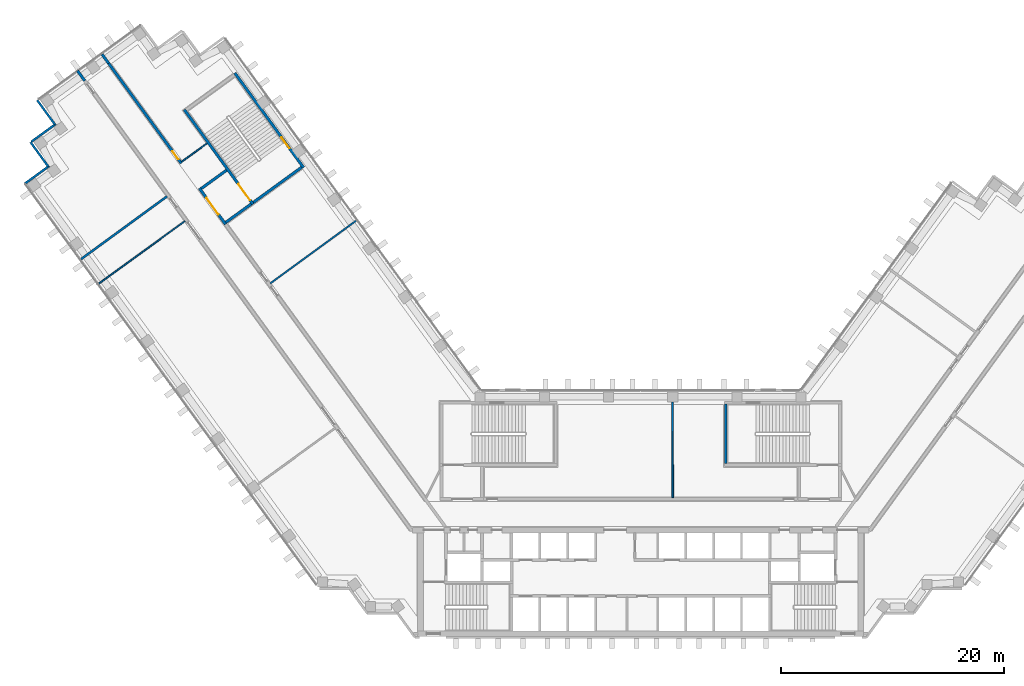
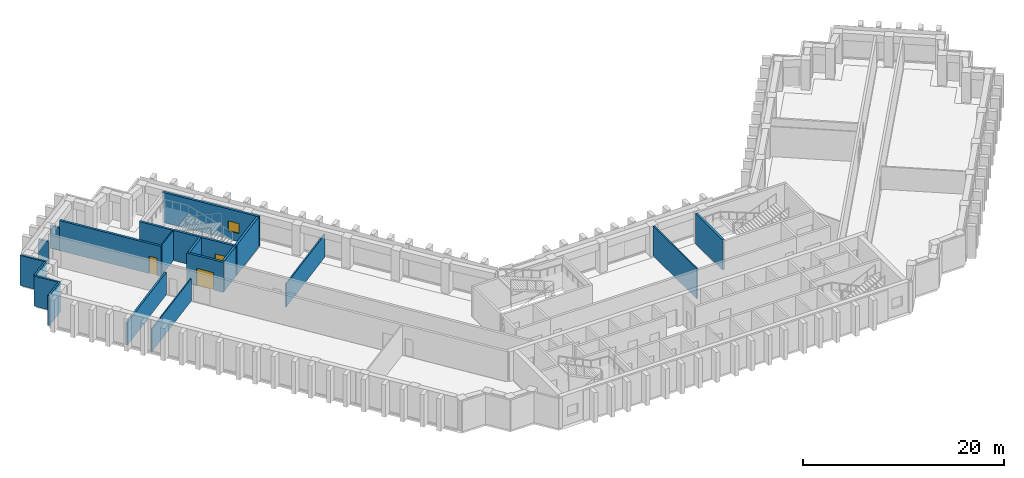
# One storey, part 6 of 11: 19 walls, 3 doors, 1 window, 4 openings.
"""IFC4 building model written with IfcOpenShell, lengths in metres."""

from ifc_helpers import new_model, si_unit, direction, frame, frame_2d, origin, place, context, subcontext, project, spatial, rectangle, extrude, material, layer, layer_set, type_object, element, fill, save


model = new_model("IFC4")

# Units and contexts
model_context = context("Model", 3, precision=1e-05, world=origin(), true_north=direction((0.0, 1.0)))
body_context = subcontext(model_context, "Body", "Model", "MODEL_VIEW")
ifc_project = project(units=[si_unit("LENGTHUNIT", "METRE"), si_unit("AREAUNIT", "SQUARE_METRE"), si_unit("VOLUMEUNIT", "CUBIC_METRE"), si_unit("PLANEANGLEUNIT", "RADIAN"), si_unit("MASSUNIT", "GRAM", prefix="KILO")], contexts=[model_context])

# Site, building, storey
site_placement = place(None, origin())
site = spatial("IfcSite", under=ifc_project, at=site_placement, CompositionType="ELEMENT")
building_placement = place(site_placement, origin())
building = spatial("IfcBuilding", under=site, at=building_placement, Name="Quipu Civic Tower", CompositionType="ELEMENT")
storey_placement = place(building_placement, frame((0.0, 0.0, 117.0)))
storey = spatial("IfcBuildingStorey", under=building, at=storey_placement, Name="L27", CompositionType="ELEMENT", Elevation=117.0)

# Walls
ifc_material_1 = material(Name="Double gypsum plasterboard with mineral wool")
ifc_layer_1 = layer(ifc_material_1, 0.14990234375)
ifc_layer_set_1 = layer_set([ifc_layer_1], Name="Double gypsum plasterboard with mineral wool")
wall_type_1 = type_object("IfcWallType", Name="Acoustic partition 150 plasterboard", PredefinedType="PARTITIONING", material=ifc_layer_set_1)
wall_1_placement = place(storey_placement, frame((-33.22998046875, 20.677001953125, 0.0), z_axis=(0.0, 0.0, 1.0), x_axis=(0.807610282865, 0.589716568371, 0.0)))
element("IfcWall", 1, at=wall_1_placement, inside=storey, type_object=wall_type_1, Name="Partition P03", PredefinedType="PARTITIONING", context=body_context, shape_type="SweptSolid", body=[
    extrude(rectangle(XDim=9.549560546875, YDim=0.14990234375, at=frame_2d((4.77490234375, 0.0))), origin(), (0.0, 0.0, 1.0), 2.75),
])
wall_2_placement = place(storey_placement, frame((2.87890625, 1.449951171875, 0.0), z_axis=(0.0, 0.0, 1.0), x_axis=(-0.002357613104, 0.999997220826, 0.0)))
element("IfcWall", 2, at=wall_2_placement, inside=storey, type_object=wall_type_1, Name="Partition P05", PredefinedType="PARTITIONING", context=body_context, shape_type="SweptSolid", body=[
    extrude(rectangle(XDim=8.594970703125, YDim=0.14990234375, at=frame_2d((4.29736328125, 0.0))), origin(), (0.0, 0.0, 1.0), 3.64990234375),
])
ifc_material_2 = material(Name="Fired clay blockwork", Category="masonry")
ifc_layer_2 = layer(ifc_material_2, 0.199951171875)
ifc_layer_set_2 = layer_set([ifc_layer_2], Name="Fired clay blockwork")
wall_type_2 = type_object("IfcWallType", Name="Blockwork wall 200", PredefinedType="SOLIDWALL", material=ifc_layer_set_2)
wall_3_placement = place(storey_placement, frame((-50.202392578125, 22.85546875, 0.0), z_axis=(0.0, 0.0, 1.0), x_axis=(0.807642555839, 0.589672368352, 0.0)))
element("IfcWall", 3, at=wall_3_placement, inside=storey, type_object=wall_type_2, Name="Partition P08", PredefinedType="SOLIDWALL", context=body_context, shape_type="SweptSolid", body=[
    extrude(rectangle(XDim=9.55078125, YDim=0.199951171875, at=frame_2d((4.775390625, 0.0))), origin(), (0.0, 0.0, 1.0), 2.75),
])
ifc_material_3 = material(Name="Concrete C70/85", Category="concrete")
ifc_layer_3 = layer(ifc_material_3, 0.25)
ifc_layer_set_3 = layer_set([ifc_layer_3], Name="Concrete C70/85")
wall_type_3 = type_object("IfcWallType", Name="Core wall 250", PredefinedType="SHEAR", material=ifc_layer_set_3)
wall_4_placement = place(storey_placement, frame((7.625, 4.5, 0.0), z_axis=(0.0, 0.0, 1.0), x_axis=(0.0, 1.0, 0.0)))
element("IfcWall", 4, at=wall_4_placement, inside=storey, type_object=wall_type_3, Name="Core wall", PredefinedType="SHEAR", context=body_context, shape_type="SweptSolid", body=[
    extrude(rectangle(XDim=5.35009765625, YDim=0.25, at=frame_2d((2.675048828125, 0.0))), origin(), (0.0, 0.0, 1.0), 3.64990234375),
])

# Wall, opening, window
wall_5_placement = place(storey_placement, frame((-30.239501953125, 31.06396484375, 0.0), z_axis=(0.0, 0.0, 1.0), x_axis=(-0.587795589702, 0.809009483706, 0.0)))
wall_5 = element("IfcWall", 5, at=wall_5_placement, inside=storey, type_object=wall_type_3, Name="Core wall", PredefinedType="SHEAR", context=body_context, shape_type="SweptSolid", body=[
    extrude(rectangle(XDim=10.5, YDim=0.25, at=frame_2d((5.25, 0.0))), origin(), (0.0, 0.0, 1.0), 3.64990234375),
])
opening_1_placement = place(wall_5_placement, frame((2.14990234375, 0.0, 1.0)))
opening_1 = element("IfcOpeningElement", 6, at=opening_1_placement, cuts=wall_5, Name="Opening SV-6", PredefinedType="OPENING", context=body_context, shape_type="SweptSolid", body=[
    extrude(rectangle(XDim=1.199951171875, YDim=1.199951171875, at=frame_2d((0.60009765625, 0.60009765625))), frame((0.0, 0.135009765625, 0.0), z_axis=(0.0, -1.0, 0.0), x_axis=(1.0, 0.0, 0.0)), (0.0, 0.0, 1.0), 0.27001953125),
])
ifc_material_4 = material(Name="Aluminium louvre", Category="aluminium")
window_type = type_object("IfcWindowType", Name="Stair ventilation louvre 1200 x 1200", PartitioningType="SINGLE_PANEL", PredefinedType="WINDOW", material=ifc_material_4)
window_placement = place(opening_1_placement, origin())
window = element("IfcWindow", 7, at=window_placement, inside=storey, type_object=window_type, Name="Stair ventilation opening", OverallHeight=1.199951171875, OverallWidth=1.199951171875, PartitioningType="SINGLE_PANEL", PredefinedType="WINDOW", context=body_context, shape_type="SweptSolid", body=[
    extrude(rectangle(XDim=1.199951171875, YDim=1.199951171875, at=frame_2d((0.60009765625, 0.60009765625))), frame((0.0, 0.030029296875, 0.0), z_axis=(0.0, -1.0, 0.0), x_axis=(1.0, 0.0, 0.0)), (0.0, 0.0, 1.0), 0.06005859375),
])
fill(opening_1, window)

# Wall
wall_6_placement = place(storey_placement, frame((-30.414306640625, 31.091796875, 0.0), z_axis=(0.0, 0.0, 1.0), x_axis=(-0.8089984606, -0.587810760999, 0.0)))
element("IfcWall", 8, at=wall_6_placement, inside=storey, type_object=wall_type_3, Name="Core wall", PredefinedType="SHEAR", context=body_context, shape_type="SweptSolid", body=[
    extrude(rectangle(XDim=5.35009765625, YDim=0.25, at=frame_2d((2.675048828125, 0.0))), origin(), (0.0, 0.0, 1.0), 3.64990234375),
])

# Wall, opening, door
wall_7_placement = place(storey_placement, frame((-40.94189453125, 36.26708984375, 0.0), z_axis=(0.0, 0.0, 1.0), x_axis=(0.587795589702, -0.809009483706, 0.0)))
wall_7 = element("IfcWall", 9, at=wall_7_placement, inside=storey, type_object=wall_type_3, Name="Core wall", PredefinedType="SHEAR", context=body_context, shape_type="SweptSolid", body=[
    extrude(rectangle(XDim=10.5, YDim=0.25, at=frame_2d((5.25, 0.0))), origin(), (0.0, 0.0, 1.0), 3.64990234375),
])
opening_2_placement = place(wall_7_placement, frame((8.25, 0.0, 0.0)))
opening_2 = element("IfcOpeningElement", 10, at=opening_2_placement, cuts=wall_7, Name="Opening CD-18", PredefinedType="OPENING", context=body_context, shape_type="SweptSolid", body=[
    extrude(rectangle(XDim=1.800048828125, YDim=2.10009765625, at=frame_2d((0.89990234375, 1.050048828125))), frame((0.0, 0.135009765625, 0.0), z_axis=(0.0, -1.0, 0.0), x_axis=(1.0, 0.0, 0.0)), (0.0, 0.0, 1.0), 0.27001953125),
])
ifc_material_5 = material(Name="Fire rated steel door", Category="steel")
door_type_1 = type_object("IfcDoorType", Name="Fire door FD90 double 1800 x 2100", OperationType="NOTDEFINED", PredefinedType="DOOR", material=ifc_material_5)
door_1_placement = place(opening_2_placement, origin())
door_1 = element("IfcDoor", 11, at=door_1_placement, inside=storey, type_object=door_type_1, Name="Door", OperationType="DOUBLE_DOOR_SINGLE_SWING", OverallHeight=2.10009765625, OverallWidth=1.800048828125, PredefinedType="DOOR", context=body_context, shape_type="SweptSolid", body=[
    extrude(rectangle(XDim=1.800048828125, YDim=2.10009765625, at=frame_2d((0.89990234375, 1.050048828125))), frame((0.0, 0.02490234375, 0.0), z_axis=(0.0, -1.0, 0.0), x_axis=(1.0, 0.0, 0.0)), (0.0, 0.0, 1.0), 0.050048828125),
])
fill(opening_2, door_1)

# Walls
for number, where, z_axis, x_axis, name in (
    (12, (-34.944580078125, 27.800048828125, 0.0), (0.0, 0.0, 1.0), (-0.809041377956, -0.587751689708, 0.0), "Core wall"),
    (13, (-37.14892578125, 30.833984375, 0.0), (0.0, 0.0, 1.0), (-0.808969789945, -0.58785021813, 0.0), "Core wall"),
):
    element("IfcWall", number, at=place(storey_placement, frame(where, z_axis=z_axis, x_axis=x_axis)), inside=storey, type_object=wall_type_3, Name=name, PredefinedType="SHEAR", context=body_context, shape_type="SweptSolid", body=[
        extrude(rectangle(XDim=2.800048828125, YDim=0.25, at=frame_2d((1.39990234375, 0.0))), origin(), (0.0, 0.0, 1.0), 3.64990234375),
    ])

# Wall, opening, door
wall_8_placement = place(storey_placement, frame((-39.588623046875, 29.2158203125, 0.0), z_axis=(0.0, 0.0, 1.0), x_axis=(0.587772420479, -0.809026317077, 0.0)))
wall_8 = element("IfcWall", 14, at=wall_8_placement, inside=storey, type_object=wall_type_3, Name="Core wall", PredefinedType="SHEAR", context=body_context, shape_type="SweptSolid", body=[
    extrude(rectangle(XDim=4.0, YDim=0.25, at=frame_2d((2.0, 0.0))), origin(), (0.0, 0.0, 1.0), 3.64990234375),
])
opening_3_placement = place(wall_8_placement, frame((1.10009765625, 0.0, 0.0)))
opening_3 = element("IfcOpeningElement", 15, at=opening_3_placement, cuts=wall_8, Name="Opening CD-19", PredefinedType="OPENING", context=body_context, shape_type="SweptSolid", body=[
    extrude(rectangle(XDim=1.800048828125, YDim=2.10009765625, at=frame_2d((0.89990234375, 1.050048828125))), frame((0.0, 0.135009765625, 0.0), z_axis=(0.0, -1.0, 0.0), x_axis=(1.0, 0.0, 0.0)), (0.0, 0.0, 1.0), 0.27001953125),
])
door_2_placement = place(opening_3_placement, origin())
door_2 = element("IfcDoor", 16, at=door_2_placement, inside=storey, type_object=door_type_1, Name="Lobby door", OperationType="DOUBLE_DOOR_SINGLE_SWING", OverallHeight=2.10009765625, OverallWidth=1.800048828125, PredefinedType="DOOR", context=body_context, shape_type="SweptSolid", body=[
    extrude(rectangle(XDim=1.800048828125, YDim=2.10009765625, at=frame_2d((0.89990234375, 1.050048828125))), frame((0.0, 0.02490234375, 0.0), z_axis=(0.0, -1.0, 0.0), x_axis=(1.0, 0.0, 0.0)), (0.0, 0.0, 1.0), 0.050048828125),
])
fill(opening_3, door_2)

ifc_material_6 = material(Name="Concrete C50/60", Category="concrete")
ifc_layer_4 = layer(ifc_material_6, 0.25)
ifc_layer_set_4 = layer_set([ifc_layer_4], Name="Concrete C50/60")
wall_type_4 = type_object("IfcWallType", Name="Corridor wall 250 concrete", PredefinedType="SOLIDWALL", material=ifc_layer_set_4)
wall_9_placement = place(storey_placement, frame((-47.724853515625, 40.414306640625, 0.0), z_axis=(0.0, 0.0, 1.0), x_axis=(0.587773291021, -0.809025684612, 0.0)))
wall_9 = element("IfcWall", 17, at=wall_9_placement, inside=storey, type_object=wall_type_4, Name="Corridor wall C03", PredefinedType="SOLIDWALL", context=body_context, shape_type="SweptSolid", body=[
    extrude(rectangle(XDim=11.07861328125, YDim=0.25, at=frame_2d((5.539306640625, 0.0))), origin(), (0.0, 0.0, 1.0), 3.64990234375),
])
opening_4_placement = place(wall_9_placement, frame((9.737060546875, 0.0, 0.0)))
opening_4 = element("IfcOpeningElement", 18, at=opening_4_placement, cuts=wall_9, Name="Opening D008", PredefinedType="OPENING", context=body_context, shape_type="SweptSolid", body=[
    extrude(rectangle(XDim=0.89990234375, YDim=2.10009765625, at=frame_2d((0.449951171875, 1.050048828125))), frame((0.0, 0.135009765625, 0.0), z_axis=(0.0, -1.0, 0.0), x_axis=(1.0, 0.0, 0.0)), (0.0, 0.0, 1.0), 0.27001953125),
])
ifc_material_7 = material(Name="Fire rated timber door set with metal frame", Category="wood")
door_type_2 = type_object("IfcDoorType", Name="Single door 900 x 2100 FD60", OperationType="NOTDEFINED", PredefinedType="DOOR", material=ifc_material_7)
door_3_placement = place(opening_4_placement, origin())
door_3 = element("IfcDoor", 19, at=door_3_placement, inside=storey, type_object=door_type_2, Name="Door D008", OperationType="SINGLE_SWING_RIGHT", OverallHeight=2.10009765625, OverallWidth=0.89990234375, PredefinedType="DOOR", context=body_context, shape_type="SweptSolid", body=[
    extrude(rectangle(XDim=0.89990234375, YDim=2.10009765625, at=frame_2d((0.449951171875, 1.050048828125))), frame((0.0, 0.02490234375, 0.0), z_axis=(0.0, -1.0, 0.0), x_axis=(1.0, 0.0, 0.0)), (0.0, 0.0, 1.0), 0.050048828125),
])
fill(opening_4, door_3)

# Walls
wall_10_placement = place(storey_placement, frame((-49.86865234375, 38.8564453125, 0.0), z_axis=(0.0, 0.0, 1.0), x_axis=(-0.587674273289, 0.809097613712, 0.0)))
element("IfcWall", 20, at=wall_10_placement, inside=storey, type_object=wall_type_4, Name="Corridor wall C02", PredefinedType="SOLIDWALL", context=body_context, shape_type="SweptSolid", body=[
    extrude(rectangle(XDim=1.109130859375, YDim=0.25, at=frame_2d((0.5546875, 0.0))), origin(), (0.0, 0.0, 1.0), 2.75),
])
wall_11_placement = place(storey_placement, frame((-47.724853515625, 40.414306640625, 0.0), z_axis=(0.0, 0.0, 1.0), x_axis=(-0.587840411638, 0.808976915892, 0.0)))
element("IfcWall", 21, at=wall_11_placement, inside=storey, type_object=wall_type_4, Name="Corridor wall C03", PredefinedType="SOLIDWALL", context=body_context, shape_type="SweptSolid", body=[
    extrude(rectangle(XDim=1.008056640625, YDim=0.25, at=frame_2d((0.50390625, 0.0))), origin(), (0.0, 0.0, 1.0), 2.75),
])
ifc_material_8 = material(Name="Gypsum plasterboard on light gauge framing")
ifc_layer_5 = layer(ifc_material_8, 0.1201171875)
ifc_layer_set_5 = layer_set([ifc_layer_5], Name="Gypsum plasterboard on light gauge framing")
wall_type_5 = type_object("IfcWallType", Name="Partition 120 plasterboard", PredefinedType="PARTITIONING", material=ifc_layer_set_5)
wall_12_placement = place(storey_placement, frame((-40.878173828125, 26.269775390625, 0.0), z_axis=(0.0, 0.0, 1.0), x_axis=(-0.809102944047, -0.587666934526, 0.0)))
element("IfcWall", 22, at=wall_12_placement, inside=storey, type_object=wall_type_5, Name="Partition P06", PredefinedType="PARTITIONING", context=body_context, shape_type="SweptSolid", body=[
    extrude(rectangle(XDim=9.550048828125, YDim=0.1201171875, at=frame_2d((4.77490234375, 0.0))), origin(), (0.0, 0.0, 1.0), 2.75),
])
wall_13_placement = place(storey_placement, frame((-41.166015625, 31.59912109375, 0.0), z_axis=(0.0, 0.0, 1.0), x_axis=(0.809090262332, 0.587684394381, 0.0)))
element("IfcWall", 23, at=wall_13_placement, inside=storey, type_object=wall_type_5, Name="Partition P10", PredefinedType="PARTITIONING", context=body_context, shape_type="SweptSolid", body=[
    extrude(rectangle(XDim=2.80078125, YDim=0.1201171875, at=frame_2d((1.400390625, 0.0))), origin(), (0.0, 0.0, 1.0), 3.64990234375),
])
ifc_material_9 = material(Name="Precast concrete C40/50", Category="concrete")
wall_type_6 = type_object("IfcWallType", Name="Precast cladding wall", PredefinedType="SOLIDWALL", material=ifc_material_9)
for number, where, z_axis, x_axis, name in (
    (24, (-54.140380859375, 37.12255859375, 0.0), (0.0, 0.0, 1.0), (0.587822180636, -0.808990163075, 0.0), "Precast cladding wall L27 P07"),
    (25, (-52.46533203125, 34.9873046875, 0.0), (0.0, 0.0, 1.0), (-0.809033161865, -0.587762999008, 0.0), "Precast cladding wall L27 P08"),
):
    element("IfcWall", number, at=place(storey_placement, frame(where, z_axis=z_axis, x_axis=x_axis)), inside=storey, type_object=wall_type_6, Name=name, PredefinedType="SOLIDWALL", context=body_context, shape_type="SweptSolid", body=[
        extrude(rectangle(XDim=2.699951171875, YDim=0.199951171875, at=frame_2d((1.35009765625, 0.0))), origin(), (0.0, 0.0, 1.0), 3.64990234375),
    ])
wall_14_placement = place(storey_placement, frame((-54.73779296875, 33.351318359375, 0.0), z_axis=(0.0, 0.0, 1.0), x_axis=(0.587779184282, -0.809021403008, 0.0)))
element("IfcWall", 26, at=wall_14_placement, inside=storey, type_object=wall_type_6, Name="Precast cladding wall L27 P09", PredefinedType="SOLIDWALL", context=body_context, shape_type="SweptSolid", body=[
    extrude(rectangle(XDim=2.7001953125, YDim=0.199951171875, at=frame_2d((1.35009765625, 0.0))), origin(), (0.0, 0.0, 1.0), 3.64990234375),
])
wall_15_placement = place(storey_placement, frame((-53.062744140625, 31.2158203125, 0.0), z_axis=(0.0, 0.0, 1.0), x_axis=(-0.809033161865, -0.587762999008, 0.0)))
element("IfcWall", 27, at=wall_15_placement, inside=storey, type_object=wall_type_6, Name="Precast cladding wall L27 P10", PredefinedType="SOLIDWALL", context=body_context, shape_type="SweptSolid", body=[
    extrude(rectangle(XDim=2.699951171875, YDim=0.199951171875, at=frame_2d((1.35009765625, 0.0))), origin(), (0.0, 0.0, 1.0), 3.64990234375),
])

save(model, "model.ifc")
